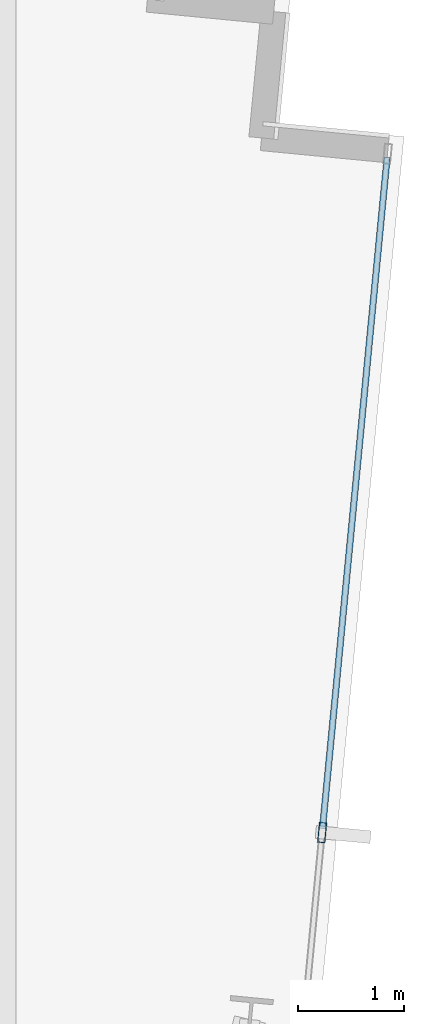
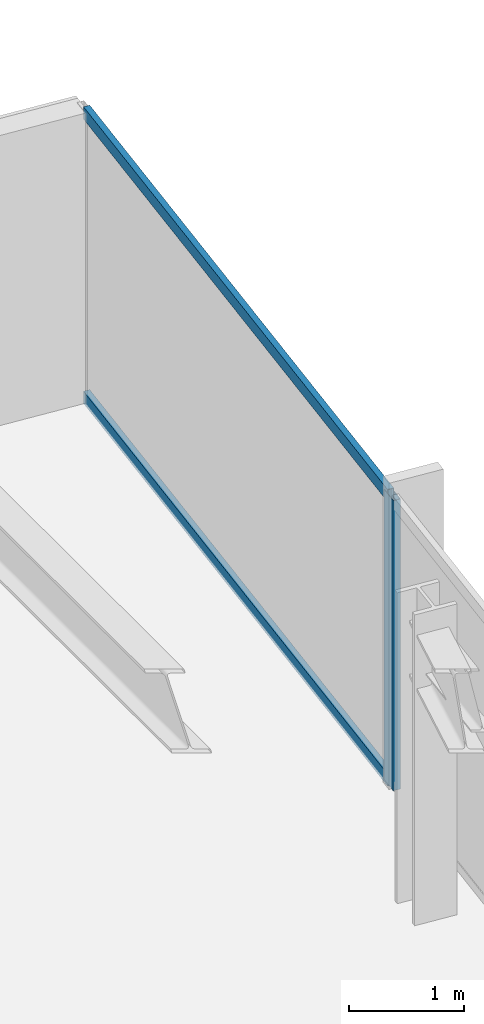
# One storey, part 20 of 37: 3 members, 1 element without a shape of its own.
"""IFC4 building model written with IfcOpenShell, lengths in metres."""

from ifc_helpers import new_model, si_unit, direction, frame, origin, origin_2d, place, context, subcontext, project, spatial, hollow_rectangle, extrude, material, material_profile, profile_set, type_object, element, aggregate, save


model = new_model("IFC4")

# Units and contexts
model_context = context("Model", 3, precision=1e-05, world=origin(), true_north=direction((0.0, 1.0)))
body_context = subcontext(model_context, "Body", "Model", "MODEL_VIEW")
ifc_project = project(units=[si_unit("LENGTHUNIT", "METRE"), si_unit("AREAUNIT", "SQUARE_METRE"), si_unit("VOLUMEUNIT", "CUBIC_METRE"), si_unit("PLANEANGLEUNIT", "RADIAN"), si_unit("MASSUNIT", "GRAM", prefix="KILO")], contexts=[model_context])

# Site, building, storey
site_placement = place(None, origin())
site = spatial("IfcSite", under=ifc_project, at=site_placement, CompositionType="ELEMENT")
building_placement = place(site_placement, origin())
building = spatial("IfcBuilding", under=site, at=building_placement, Name="Yelkora Congress Tower", CompositionType="ELEMENT")
storey_placement = place(building_placement, frame((0.0, 0.0, 175.39990234375)))
storey = spatial("IfcBuildingStorey", under=building, at=storey_placement, Name="L48", CompositionType="ELEMENT", Elevation=175.39990234375)

# Curtain wall, members
ifc_material_1 = material(Name="Anodised aluminium and insulated glass", Category="aluminium")
curtain_wall_type = type_object("IfcCurtainWallType", Name="CW-SYS-B3", PredefinedType="NOTDEFINED", material=ifc_material_1)
curtain_wall_placement = place(storey_placement, origin())
curtain_wall = element("IfcCurtainWall", 1, at=curtain_wall_placement, inside=storey, type_object=curtain_wall_type, Name="L48 Unitised Curtain Wall 15", PredefinedType="NOTDEFINED")
ifc_material_2 = material(Name="Anodised aluminium 6063-T6", Category="aluminium")
ifc_material_profile_1 = material_profile(ifc_material_2, hollow_rectangle(XDim=0.070068359375, YDim=0.18994140625, WallThickness=0.00390625, at=origin_2d()), Name="ALU 70x190x4")
ifc_profile_set_1 = profile_set([ifc_material_profile_1], Name="Anodised aluminium 6063-T6")
member_type_1 = type_object("IfcMemberType", Name="MEM-ML-B3", PredefinedType="MULLION", material=ifc_profile_set_1)
member_1_placement = place(storey_placement, frame((60.646240234375, 36.849853515625, 0.0), z_axis=(0.0, 0.0, 1.0), x_axis=(0.995396565076, -0.095841944023, 0.0)))
member_1 = element("IfcMember", 2, at=member_1_placement, type_object=member_type_1, Name="CW-B3 mullion 2", PredefinedType="MULLION", context=body_context, shape_type="SweptSolid", body=[
    extrude(hollow_rectangle(XDim=0.070068359375, YDim=0.18994140625, WallThickness=0.00390625, at=origin_2d()), origin(), (0.0, 0.0, 1.0), 3.080078125),
])
ifc_material_profile_2 = material_profile(ifc_material_2, hollow_rectangle(XDim=0.06005859375, YDim=0.1298828125, WallThickness=0.00390625, at=origin_2d()), Name="ALU 60x130x4")
ifc_profile_set_2 = profile_set([ifc_material_profile_2], Name="Anodised aluminium 6063-T6")
member_type_2 = type_object("IfcMemberType", Name="MEM-TR-B3", PredefinedType="USERDEFINED", material=ifc_profile_set_2)
member_2_placement = place(storey_placement, frame((61.260986328125, 43.234375, 0.030029296875), z_axis=(-0.095872844558, -0.995393589329, 0.0), x_axis=(0.995393589329, -0.095872844558, 0.0)))
member_2 = element("IfcMember", 3, at=member_2_placement, type_object=member_type_2, Name="CW-B3 transom 1.1", ObjectType="TRANSOM", PredefinedType="USERDEFINED", context=body_context, shape_type="SweptSolid", body=[
    extrude(hollow_rectangle(XDim=0.06005859375, YDim=0.1298828125, WallThickness=0.00390625, at=origin_2d()), origin(), (0.0, 0.0, 1.0), 6.37890625),
])
member_3_placement = place(storey_placement, frame((61.260986328125, 43.234375, 3.050048828125), z_axis=(-0.095872844558, -0.995393589329, 0.0), x_axis=(0.995393589329, -0.095872844558, 0.0)))
member_3 = element("IfcMember", 4, at=member_3_placement, type_object=member_type_2, Name="CW-B3 transom 1.2", ObjectType="TRANSOM", PredefinedType="USERDEFINED", context=body_context, shape_type="SweptSolid", body=[
    extrude(hollow_rectangle(XDim=0.06005859375, YDim=0.1298828125, WallThickness=0.00390625, at=origin_2d()), origin(), (0.0, 0.0, 1.0), 6.37890625),
])
aggregate(curtain_wall, [member_1, member_2, member_3])

save(model, "model.ifc")
